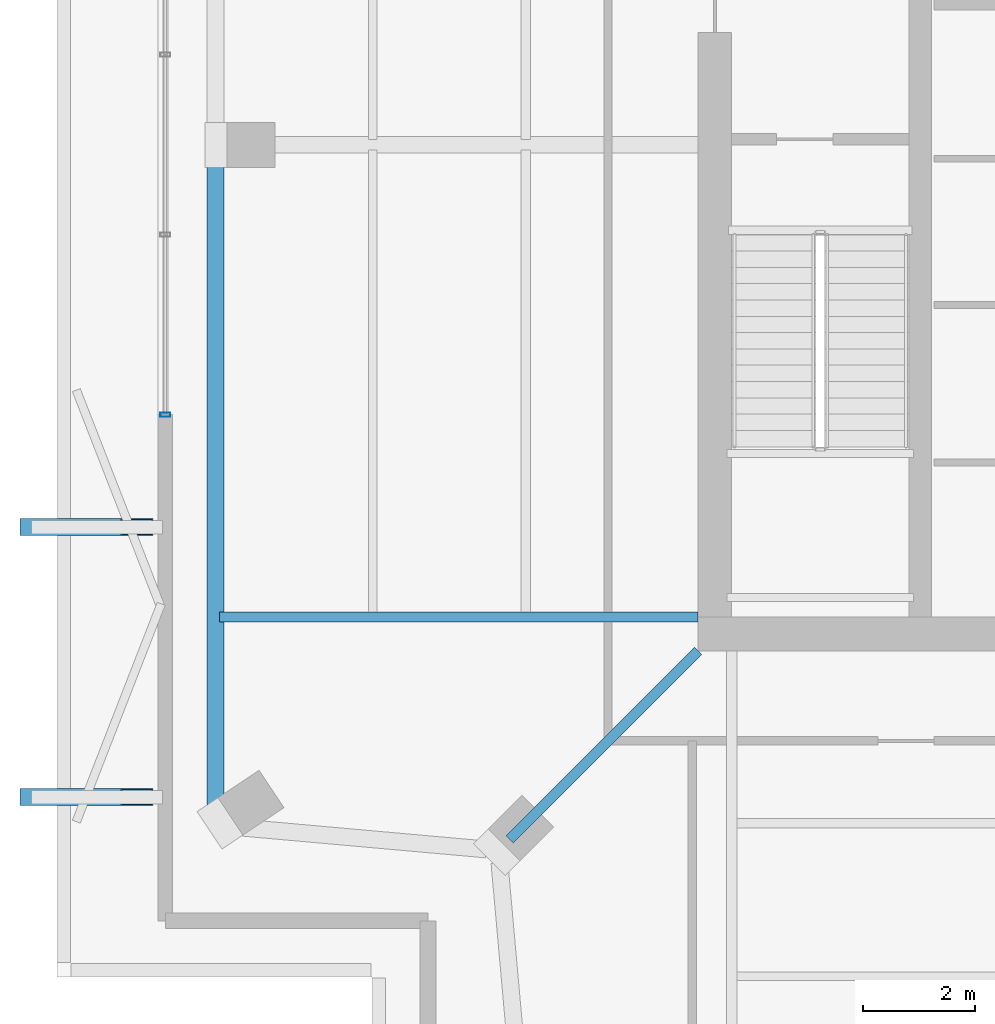
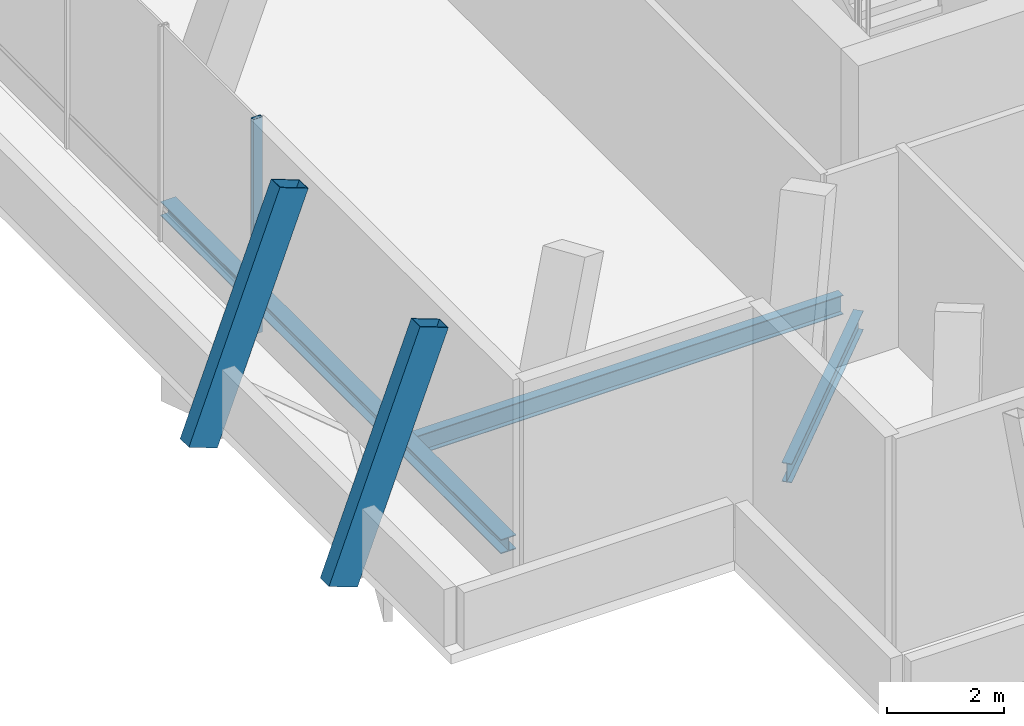
# One storey, part 3 of 18: 3 beams, 3 members, 1 element without a shape of its own.
"""IFC4 building model written with IfcOpenShell, lengths in metres."""

from ifc_helpers import new_model, si_unit, direction, frame, origin, origin_2d, place, context, subcontext, project, spatial, hollow_rectangle, i_section, extrude, material, layer, layer_set, material_profile, profile_set, type_object, element, aggregate, save


model = new_model("IFC4")

# Units and contexts
model_context = context("Model", 3, precision=1e-05, world=origin(), true_north=direction((0.0, 1.0)))
body_context = subcontext(model_context, "Body", "Model", "MODEL_VIEW")
ifc_project = project(units=[si_unit("LENGTHUNIT", "METRE"), si_unit("AREAUNIT", "SQUARE_METRE"), si_unit("VOLUMEUNIT", "CUBIC_METRE"), si_unit("PLANEANGLEUNIT", "RADIAN"), si_unit("MASSUNIT", "GRAM", prefix="KILO")], contexts=[model_context])

# Site, building, storey
site_placement = place(None, origin())
site = spatial("IfcSite", under=ifc_project, at=site_placement, CompositionType="ELEMENT")
building_placement = place(site_placement, origin())
building = spatial("IfcBuilding", under=site, at=building_placement, Name="Belovzor Exchange Tower", CompositionType="ELEMENT")
storey_placement = place(building_placement, frame((0.0, 0.0, 369.0)))
storey = spatial("IfcBuildingStorey", under=building, at=storey_placement, Name="L92", CompositionType="ELEMENT", Elevation=369.0)

# Beam
ifc_material_1 = material(Name="Steel S355", Category="steel")
ifc_material_profile_1 = material_profile(ifc_material_1, i_section(OverallWidth=0.300048828125, OverallDepth=0.300048828125, WebThickness=0.010986328125, FlangeThickness=0.01904296875, at=origin_2d()))
ifc_profile_set_1 = profile_set([ifc_material_profile_1], Name="Steel S355")
beam_type_1 = type_object("IfcBeamType", Name="Crown Plant Primary Beam HEB 300", PredefinedType="BEAM", material=ifc_profile_set_1)
beam_1_placement = place(storey_placement, frame((11.219970703125, 28.580078125, -0.449951171875), z_axis=(0.0, -1.0, 0.0), x_axis=(1.0, 0.0, 0.0)))
element("IfcBeam", 1, at=beam_1_placement, inside=storey, type_object=beam_type_1, Name="FG-CR Crown Plant Primary Beam HEB 300", PredefinedType="BEAM", context=body_context, shape_type="SweptSolid", body=[
    extrude(i_section(OverallWidth=0.300048828125, OverallDepth=0.300048828125, WebThickness=0.010986328125, FlangeThickness=0.01904296875, at=origin_2d()), origin(), (0.0, 0.0, 1.0), 11.66015625),
])

# Curtain wall, member
ifc_material_2 = material(Name="Anodised Aluminium Framing", Category="aluminium")
ifc_layer = layer(ifc_material_2, 0.169921875)
ifc_layer_set = layer_set([ifc_layer], Name="Anodised Aluminium Framing")
curtain_wall_type = type_object("IfcCurtainWallType", Name="Stepped Crown Faceted Lantern Curtain Wall", PredefinedType="NOTDEFINED", material=ifc_layer_set)
curtain_wall_placement = place(storey_placement, origin())
curtain_wall = element("IfcCurtainWall", 2, at=curtain_wall_placement, inside=storey, type_object=curtain_wall_type, Name="CW6 Stepped Crown Faceted Lantern Curtain Wall L92", PredefinedType="NOTDEFINED")
ifc_material_3 = material(Name="Steel S355", Category="steel")
ifc_material_profile_2 = material_profile(ifc_material_3, hollow_rectangle(XDim=0.074951171875, YDim=0.179931640625, WallThickness=0.0048828125, at=origin_2d()))
ifc_profile_set_2 = profile_set([ifc_material_profile_2], Name="Steel S355")
member_type_1 = type_object("IfcMemberType", Name="Thermally Broken Curtain Wall Mullion 180x75", PredefinedType="MULLION", material=ifc_profile_set_2)
member_placement = place(storey_placement, frame((10.330078125, 24.0, 0.0), z_axis=(0.0, 0.0, 1.0), x_axis=(0.0, 1.0, 0.0)))
member = element("IfcMember", 3, at=member_placement, type_object=member_type_1, Name="CW-M180 Curtain Wall Mullion 1", PredefinedType="MULLION", context=body_context, shape_type="SweptSolid", body=[
    extrude(hollow_rectangle(XDim=0.074951171875, YDim=0.179931640625, WallThickness=0.0048828125, at=origin_2d()), origin(), (0.0, 0.0, 1.0), 4.5),
])
aggregate(curtain_wall, [member])

# Members
ifc_material_4 = material(Name="Extruded Architectural Terracotta on Steel S355 Carrier", Category="masonry")
ifc_material_profile_3 = material_profile(ifc_material_4, hollow_rectangle(XDim=0.300048828125, YDim=0.60009765625, WallThickness=0.01611328125, at=origin_2d()))
ifc_profile_set_3 = profile_set([ifc_material_profile_3], Name="Extruded Architectural Terracotta on Steel S355 Carrier")
member_type_2 = type_object("IfcMemberType", Name="Upper Crown Terracotta Fin Assembly 550", PredefinedType="USERDEFINED", material=ifc_profile_set_3)
for number, where, z_axis, x_axis, name in (
    (4, (8.02490234375, 17.199951171875, -0.300048828125), (0.351128660605, 0.0, 0.936327220421), (0.0, 1.0, 0.0), "FIN-TC055 Terracotta Facade Fin L92 W1"),
    (5, (8.02490234375, 22.0, -0.300048828125), (0.351128660605, 0.0, 0.936327220421), (0.0, 1.0, 0.0), "FIN-TC055 Terracotta Facade Fin L92 W2"),
):
    element("IfcMember", number, at=place(storey_placement, frame(where, z_axis=z_axis, x_axis=x_axis)), inside=storey, type_object=member_type_2, Name=name, ObjectType="FIN", PredefinedType="USERDEFINED", context=body_context, shape_type="SweptSolid", body=[
        extrude(hollow_rectangle(XDim=0.300048828125, YDim=0.60009765625, WallThickness=0.01611328125, at=origin_2d()), origin(), (0.0, 0.0, 1.0), 5.12646484375),
    ])

# Beams
ifc_material_5 = material(Name="Steel S355", Category="steel")
ifc_material_profile_4 = material_profile(ifc_material_5, i_section(OverallWidth=0.179931640625, OverallDepth=0.39990234375, WebThickness=0.008544921875, FlangeThickness=0.013427734375, at=origin_2d()))
ifc_profile_set_4 = profile_set([ifc_material_profile_4], Name="Steel S355")
beam_type_2 = type_object("IfcBeamType", Name="Zone 5-6 Radial Composite Floor Beam IPE 400", PredefinedType="BEAM", material=ifc_profile_set_4)
beam_2_placement = place(storey_placement, frame((19.800048828125, 20.39990234375, -0.5), z_axis=(-1.0, 0.0, 0.0), x_axis=(0.0, -1.0, 0.0)))
element("IfcBeam", 6, at=beam_2_placement, inside=storey, type_object=beam_type_2, Name="FB-400 Zone 5-6 Radial Composite Floor Beam IPE 400", PredefinedType="BEAM", context=body_context, shape_type="SweptSolid", body=[
    extrude(i_section(OverallWidth=0.179931640625, OverallDepth=0.39990234375, WebThickness=0.008544921875, FlangeThickness=0.013427734375, at=origin_2d()), origin(), (0.0, 0.0, 1.0), 8.505126953125),
])
beam_3_placement = place(storey_placement, frame((19.800048828125, 19.800048828125, -0.5), z_axis=(-0.707106781187, -0.707106781187, 0.0), x_axis=(0.707106781187, -0.707106781187, 0.0)))
element("IfcBeam", 7, at=beam_3_placement, inside=storey, type_object=beam_type_2, Name="FB-400 Zone 5-6 Radial Composite Floor Beam IPE 400", PredefinedType="BEAM", context=body_context, shape_type="SweptSolid", body=[
    extrude(i_section(OverallWidth=0.179931640625, OverallDepth=0.39990234375, WebThickness=0.008544921875, FlangeThickness=0.013427734375, at=origin_2d()), origin(), (0.0, 0.0, 1.0), 4.73779296875),
])

save(model, "model.ifc")
